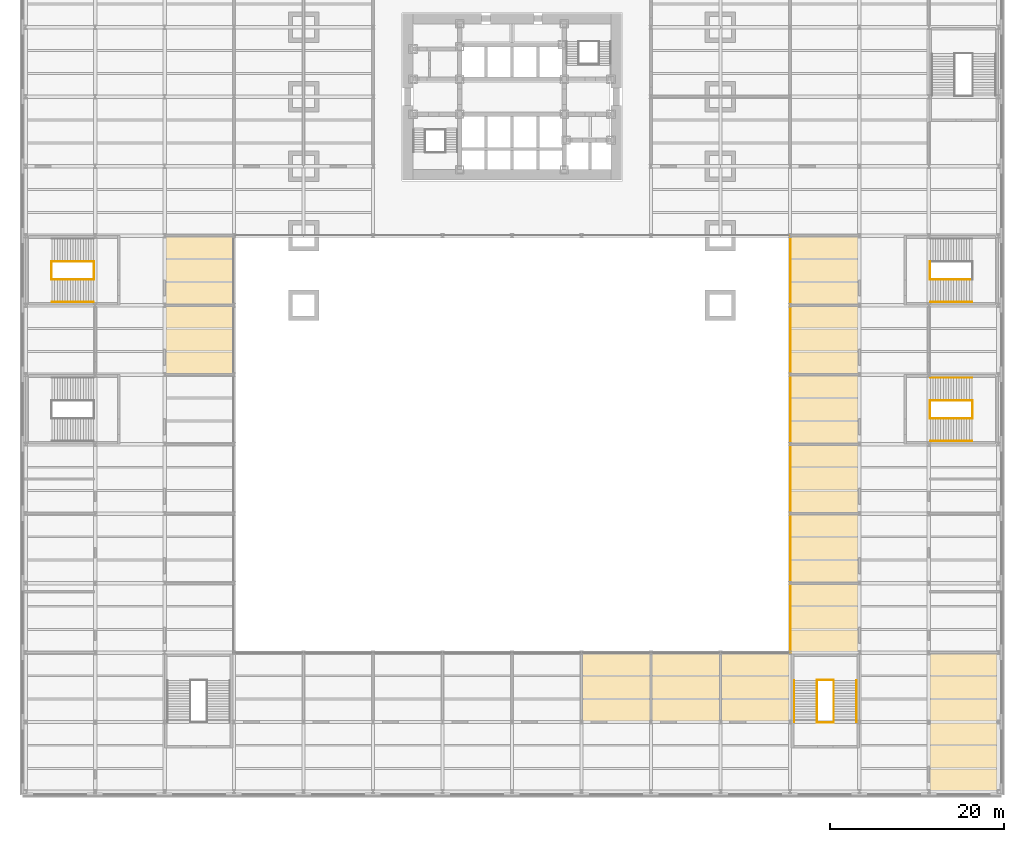
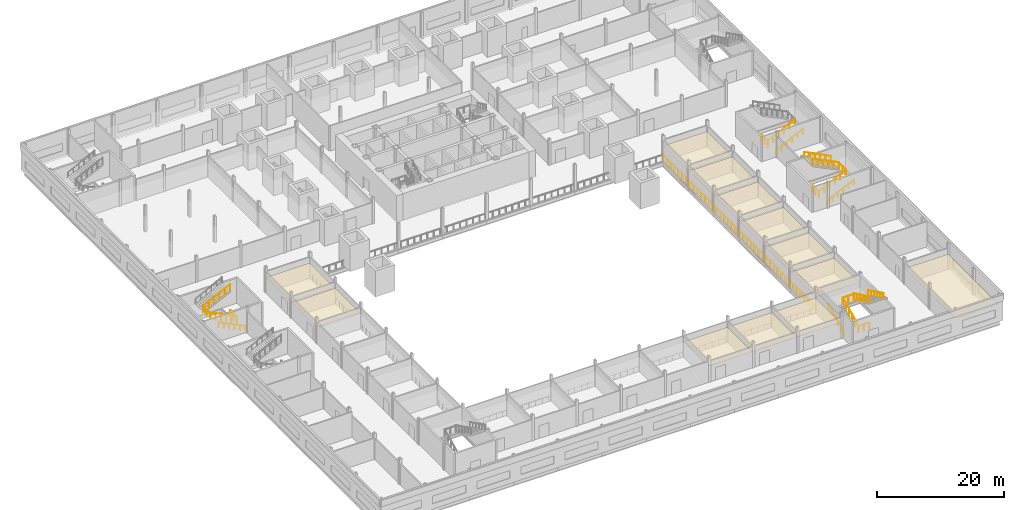
# One storey, part 19 of 22: 21 railings, 12 coverings.
"""IFC4 building model written with IfcOpenShell, lengths in metres."""

from ifc_helpers import new_model, si_unit, direction, frame, origin, origin_2d, place, context, subcontext, project, spatial, polyline, circle, outline, extrude, material, layer, layer_set, type_object, element, save


model = new_model("IFC4")

# Units and contexts
model_context = context("Model", 3, precision=1e-05, world=origin(), true_north=direction((0.0, 1.0)))
body_context = subcontext(model_context, "Body", "Model", "MODEL_VIEW")
ifc_project = project(units=[si_unit("LENGTHUNIT", "METRE"), si_unit("AREAUNIT", "SQUARE_METRE"), si_unit("VOLUMEUNIT", "CUBIC_METRE"), si_unit("PLANEANGLEUNIT", "RADIAN"), si_unit("MASSUNIT", "GRAM", prefix="KILO")], contexts=[model_context])

# Site, building, storey
site_placement = place(None, origin())
site = spatial("IfcSite", under=ifc_project, at=site_placement, CompositionType="ELEMENT")
building_placement = place(site_placement, origin())
building = spatial("IfcBuilding", under=site, at=building_placement, Name="Daluyong Arena Tower", CompositionType="ELEMENT")
storey_placement = place(building_placement, frame((0.0, 0.0, 9.89990234375)))
storey = spatial("IfcBuildingStorey", under=building, at=storey_placement, Name="L02", CompositionType="ELEMENT", Elevation=9.89990234375)

# Railing
ifc_material_1 = material(Name="Steel guard with glass infill", Category="steel")
railing_type_1 = type_object("IfcRailingType", Name="Floor edge guard 1100", PredefinedType="GUARDRAIL", material=ifc_material_1)
railing_1_placement = place(storey_placement, frame((88.050048828125, 16.0, 0.0)))
element("IfcRailing", 1, at=railing_1_placement, inside=storey, type_object=railing_type_1, Name="floor edge guard L02", PredefinedType="GUARDRAIL", context=body_context, shape_type="SweptSolid", body=[
    extrude(circle(Radius=0.02392578125, at=origin_2d()), frame((0.0, 0.0, 1.076171875), z_axis=(0.0, 1.0, 0.0), x_axis=(-1.0, 0.0, 0.0)), (0.0, 0.0, 1.0), 48.0),
    extrude(circle(Radius=0.02099609375, at=origin_2d()), origin(), (0.0, 0.0, 1.0), 1.052001953125),
    extrude(circle(Radius=0.02099609375, at=origin_2d()), frame((0.0, 1.199951171875, 0.0)), (0.0, 0.0, 1.0), 1.052001953125),
    extrude(circle(Radius=0.02099609375, at=origin_2d()), frame((0.0, 2.39990234375, 0.0)), (0.0, 0.0, 1.0), 1.052001953125),
    extrude(circle(Radius=0.02099609375, at=origin_2d()), frame((0.0, 3.60009765625, 0.0)), (0.0, 0.0, 1.0), 1.052001953125),
    extrude(circle(Radius=0.02099609375, at=origin_2d()), frame((0.0, 4.800048828125, 0.0)), (0.0, 0.0, 1.0), 1.052001953125),
    extrude(circle(Radius=0.02099609375, at=origin_2d()), frame((0.0, 6.0, 0.0)), (0.0, 0.0, 1.0), 1.052001953125),
    extrude(circle(Radius=0.02099609375, at=origin_2d()), frame((0.0, 7.199951171875, 0.0)), (0.0, 0.0, 1.0), 1.052001953125),
    extrude(circle(Radius=0.02099609375, at=origin_2d()), frame((0.0, 8.39990234375, 0.0)), (0.0, 0.0, 1.0), 1.052001953125),
    extrude(circle(Radius=0.02099609375, at=origin_2d()), frame((0.0, 9.60009765625, 0.0)), (0.0, 0.0, 1.0), 1.052001953125),
    extrude(circle(Radius=0.02099609375, at=origin_2d()), frame((0.0, 10.800048828125, 0.0)), (0.0, 0.0, 1.0), 1.052001953125),
    extrude(circle(Radius=0.02099609375, at=origin_2d()), frame((0.0, 12.0, 0.0)), (0.0, 0.0, 1.0), 1.052001953125),
    extrude(circle(Radius=0.02099609375, at=origin_2d()), frame((0.0, 13.199951171875, 0.0)), (0.0, 0.0, 1.0), 1.052001953125),
    extrude(circle(Radius=0.02099609375, at=origin_2d()), frame((0.0, 14.39990234375, 0.0)), (0.0, 0.0, 1.0), 1.052001953125),
    extrude(circle(Radius=0.02099609375, at=origin_2d()), frame((0.0, 15.60009765625, 0.0)), (0.0, 0.0, 1.0), 1.052001953125),
    extrude(circle(Radius=0.02099609375, at=origin_2d()), frame((0.0, 16.800048828125, 0.0)), (0.0, 0.0, 1.0), 1.052001953125),
    extrude(circle(Radius=0.02099609375, at=origin_2d()), frame((0.0, 18.0, 0.0)), (0.0, 0.0, 1.0), 1.052001953125),
    extrude(circle(Radius=0.02099609375, at=origin_2d()), frame((0.0, 19.199951171875, 0.0)), (0.0, 0.0, 1.0), 1.052001953125),
    extrude(circle(Radius=0.02099609375, at=origin_2d()), frame((0.0, 20.39990234375, 0.0)), (0.0, 0.0, 1.0), 1.052001953125),
    extrude(circle(Radius=0.02099609375, at=origin_2d()), frame((0.0, 21.60009765625, 0.0)), (0.0, 0.0, 1.0), 1.052001953125),
    extrude(circle(Radius=0.02099609375, at=origin_2d()), frame((0.0, 22.800048828125, 0.0)), (0.0, 0.0, 1.0), 1.052001953125),
    extrude(circle(Radius=0.02099609375, at=origin_2d()), frame((0.0, 24.0, 0.0)), (0.0, 0.0, 1.0), 1.052001953125),
    extrude(circle(Radius=0.02099609375, at=origin_2d()), frame((0.0, 25.199951171875, 0.0)), (0.0, 0.0, 1.0), 1.052001953125),
    extrude(circle(Radius=0.02099609375, at=origin_2d()), frame((0.0, 26.39990234375, 0.0)), (0.0, 0.0, 1.0), 1.052001953125),
    extrude(circle(Radius=0.02099609375, at=origin_2d()), frame((0.0, 27.60009765625, 0.0)), (0.0, 0.0, 1.0), 1.052001953125),
    extrude(circle(Radius=0.02099609375, at=origin_2d()), frame((0.0, 28.800048828125, 0.0)), (0.0, 0.0, 1.0), 1.052001953125),
    extrude(circle(Radius=0.02099609375, at=origin_2d()), frame((0.0, 30.0, 0.0)), (0.0, 0.0, 1.0), 1.052001953125),
    extrude(circle(Radius=0.02099609375, at=origin_2d()), frame((0.0, 31.199951171875, 0.0)), (0.0, 0.0, 1.0), 1.052001953125),
    extrude(circle(Radius=0.02099609375, at=origin_2d()), frame((0.0, 32.39990234375, 0.0)), (0.0, 0.0, 1.0), 1.052001953125),
    extrude(circle(Radius=0.02099609375, at=origin_2d()), frame((0.0, 33.60009765625, 0.0)), (0.0, 0.0, 1.0), 1.052001953125),
    extrude(circle(Radius=0.02099609375, at=origin_2d()), frame((0.0, 34.800048828125, 0.0)), (0.0, 0.0, 1.0), 1.052001953125),
    extrude(circle(Radius=0.02099609375, at=origin_2d()), frame((0.0, 36.0, 0.0)), (0.0, 0.0, 1.0), 1.052001953125),
    extrude(circle(Radius=0.02099609375, at=origin_2d()), frame((0.0, 37.199951171875, 0.0)), (0.0, 0.0, 1.0), 1.052001953125),
    extrude(circle(Radius=0.02099609375, at=origin_2d()), frame((0.0, 38.39990234375, 0.0)), (0.0, 0.0, 1.0), 1.052001953125),
    extrude(circle(Radius=0.02099609375, at=origin_2d()), frame((0.0, 39.60009765625, 0.0)), (0.0, 0.0, 1.0), 1.052001953125),
    extrude(circle(Radius=0.02099609375, at=origin_2d()), frame((0.0, 40.800048828125, 0.0)), (0.0, 0.0, 1.0), 1.052001953125),
    extrude(circle(Radius=0.02099609375, at=origin_2d()), frame((0.0, 42.0, 0.0)), (0.0, 0.0, 1.0), 1.052001953125),
    extrude(circle(Radius=0.02099609375, at=origin_2d()), frame((0.0, 43.199951171875, 0.0)), (0.0, 0.0, 1.0), 1.052001953125),
    extrude(circle(Radius=0.02099609375, at=origin_2d()), frame((0.0, 44.39990234375, 0.0)), (0.0, 0.0, 1.0), 1.052001953125),
    extrude(circle(Radius=0.02099609375, at=origin_2d()), frame((0.0, 45.60009765625, 0.0)), (0.0, 0.0, 1.0), 1.052001953125),
    extrude(circle(Radius=0.02099609375, at=origin_2d()), frame((0.0, 46.800048828125, 0.0)), (0.0, 0.0, 1.0), 1.052001953125),
    extrude(circle(Radius=0.02099609375, at=origin_2d()), frame((0.0, 48.0, 0.0)), (0.0, 0.0, 1.0), 1.052001953125),
])

# Coverings
ifc_material_2 = material(Name="Mineral fibre ceiling tile", Category="gypsum board")
ifc_layer = layer(ifc_material_2, 0.02001953125)
ifc_layer_set = layer_set([ifc_layer], Name="Mineral fibre ceiling tile")
covering_type = type_object("IfcCoveringType", Name="Office ceiling", PredefinedType="CEILING", material=ifc_layer_set)
covering_1_placement = place(storey_placement, frame((0.0, 0.0, 2.900146484375)))
element("IfcCovering", 2, at=covering_1_placement, inside=storey, type_object=covering_type, Name="ceiling L02-16", PredefinedType="CEILING", context=body_context, shape_type="SweptSolid", body=[
    extrude(outline(polyline([(111.89990234375, 0.10009765625), (111.89990234375, 15.89990234375), (104.10009765625, 15.89990234375), (104.10009765625, 0.10009765625), (111.89990234375, 0.10009765625)])), origin(), (0.0, 0.0, 1.0), 0.02001953125),
])
covering_2_placement = place(storey_placement, frame((0.0, 0.0, 2.900146484375)))
element("IfcCovering", 3, at=covering_2_placement, inside=storey, type_object=covering_type, Name="ceiling L02-23", PredefinedType="CEILING", context=body_context, shape_type="SweptSolid", body=[
    extrude(outline(polyline([(23.89990234375, 48.10009765625), (23.89990234375, 55.89990234375), (16.10009765625, 55.89990234375), (16.10009765625, 48.10009765625), (23.89990234375, 48.10009765625)])), origin(), (0.0, 0.0, 1.0), 0.02001953125),
])
covering_3_placement = place(storey_placement, frame((0.0, 0.0, 2.900146484375)))
element("IfcCovering", 4, at=covering_3_placement, inside=storey, type_object=covering_type, Name="ceiling L02-24", PredefinedType="CEILING", context=body_context, shape_type="SweptSolid", body=[
    extrude(outline(polyline([(23.89990234375, 56.10009765625), (23.89990234375, 63.89990234375), (16.10009765625, 63.89990234375), (16.10009765625, 56.10009765625), (23.89990234375, 56.10009765625)])), origin(), (0.0, 0.0, 1.0), 0.02001953125),
])
covering_4_placement = place(storey_placement, frame((0.0, 0.0, 2.900146484375)))
element("IfcCovering", 5, at=covering_4_placement, inside=storey, type_object=covering_type, Name="ceiling L02-25", PredefinedType="CEILING", context=body_context, shape_type="SweptSolid", body=[
    extrude(outline(polyline([(95.89990234375, 16.10009765625), (95.89990234375, 23.89990234375), (88.10009765625, 23.89990234375), (88.10009765625, 16.10009765625), (95.89990234375, 16.10009765625)])), origin(), (0.0, 0.0, 1.0), 0.02001953125),
])
covering_5_placement = place(storey_placement, frame((0.0, 0.0, 2.900146484375)))
element("IfcCovering", 6, at=covering_5_placement, inside=storey, type_object=covering_type, Name="ceiling L02-26", PredefinedType="CEILING", context=body_context, shape_type="SweptSolid", body=[
    extrude(outline(polyline([(95.89990234375, 24.10009765625), (95.89990234375, 31.89990234375), (88.10009765625, 31.89990234375), (88.10009765625, 24.10009765625), (95.89990234375, 24.10009765625)])), origin(), (0.0, 0.0, 1.0), 0.02001953125),
])
covering_6_placement = place(storey_placement, frame((0.0, 0.0, 2.900146484375)))
element("IfcCovering", 7, at=covering_6_placement, inside=storey, type_object=covering_type, Name="ceiling L02-27", PredefinedType="CEILING", context=body_context, shape_type="SweptSolid", body=[
    extrude(outline(polyline([(95.89990234375, 32.10009765625), (95.89990234375, 39.89990234375), (88.10009765625, 39.89990234375), (88.10009765625, 32.10009765625), (95.89990234375, 32.10009765625)])), origin(), (0.0, 0.0, 1.0), 0.02001953125),
])
covering_7_placement = place(storey_placement, frame((0.0, 0.0, 2.900146484375)))
element("IfcCovering", 8, at=covering_7_placement, inside=storey, type_object=covering_type, Name="ceiling L02-28", PredefinedType="CEILING", context=body_context, shape_type="SweptSolid", body=[
    extrude(outline(polyline([(95.89990234375, 40.10009765625), (95.89990234375, 47.89990234375), (88.10009765625, 47.89990234375), (88.10009765625, 40.10009765625), (95.89990234375, 40.10009765625)])), origin(), (0.0, 0.0, 1.0), 0.02001953125),
])
covering_8_placement = place(storey_placement, frame((0.0, 0.0, 2.900146484375)))
element("IfcCovering", 9, at=covering_8_placement, inside=storey, type_object=covering_type, Name="ceiling L02-29", PredefinedType="CEILING", context=body_context, shape_type="SweptSolid", body=[
    extrude(outline(polyline([(95.89990234375, 48.10009765625), (95.89990234375, 55.89990234375), (88.10009765625, 55.89990234375), (88.10009765625, 48.10009765625), (95.89990234375, 48.10009765625)])), origin(), (0.0, 0.0, 1.0), 0.02001953125),
])
covering_9_placement = place(storey_placement, frame((0.0, 0.0, 2.900146484375)))
element("IfcCovering", 10, at=covering_9_placement, inside=storey, type_object=covering_type, Name="ceiling L02-30", PredefinedType="CEILING", context=body_context, shape_type="SweptSolid", body=[
    extrude(outline(polyline([(95.89990234375, 56.10009765625), (95.89990234375, 63.89990234375), (88.10009765625, 63.89990234375), (88.10009765625, 56.10009765625), (95.89990234375, 56.10009765625)])), origin(), (0.0, 0.0, 1.0), 0.02001953125),
])
covering_10_placement = place(storey_placement, frame((0.0, 0.0, 2.900146484375)))
element("IfcCovering", 11, at=covering_10_placement, inside=storey, type_object=covering_type, Name="ceiling L02-36", PredefinedType="CEILING", context=body_context, shape_type="SweptSolid", body=[
    extrude(outline(polyline([(71.89990234375, 8.10009765625), (71.89990234375, 15.89990234375), (64.10009765625, 15.89990234375), (64.10009765625, 8.10009765625), (71.89990234375, 8.10009765625)])), origin(), (0.0, 0.0, 1.0), 0.02001953125),
])
covering_11_placement = place(storey_placement, frame((0.0, 0.0, 2.900146484375)))
element("IfcCovering", 12, at=covering_11_placement, inside=storey, type_object=covering_type, Name="ceiling L02-37", PredefinedType="CEILING", context=body_context, shape_type="SweptSolid", body=[
    extrude(outline(polyline([(79.89990234375, 8.10009765625), (79.89990234375, 15.89990234375), (72.10009765625, 15.89990234375), (72.10009765625, 8.10009765625), (79.89990234375, 8.10009765625)])), origin(), (0.0, 0.0, 1.0), 0.02001953125),
])
covering_12_placement = place(storey_placement, frame((0.0, 0.0, 2.900146484375)))
element("IfcCovering", 13, at=covering_12_placement, inside=storey, type_object=covering_type, Name="ceiling L02-38", PredefinedType="CEILING", context=body_context, shape_type="SweptSolid", body=[
    extrude(outline(polyline([(87.89990234375, 8.10009765625), (87.89990234375, 15.89990234375), (80.10009765625, 15.89990234375), (80.10009765625, 8.10009765625), (87.89990234375, 8.10009765625)])), origin(), (0.0, 0.0, 1.0), 0.02001953125),
])

# Railings
ifc_material_3 = material(Name="Stainless steel handrail", Category="steel")
railing_type_2 = type_object("IfcRailingType", Name="Stair handrail", PredefinedType="HANDRAIL", material=ifc_material_3)
railing_2_placement = place(storey_placement, frame((88.5, 8.010009765625, 0.147216796875)))
element("IfcRailing", 14, at=railing_2_placement, inside=storey, type_object=railing_type_2, Name="exit stair PS2 handrail L02", PredefinedType="HANDRAIL", context=body_context, shape_type="SweptSolid", body=[
    extrude(circle(Radius=0.02392578125, at=origin_2d()), frame((0.0, 0.0, 0.8759765625), z_axis=(0.0, 0.89793417156, 0.440129780343), x_axis=(-1.0, 0.0, 0.0)), (0.0, 0.0, 1.0), 5.345703125),
    extrude(circle(Radius=0.02099609375, at=origin_2d()), origin(), (0.0, 0.0, 1.0), 0.851806640625),
    extrude(circle(Radius=0.02099609375, at=origin_2d()), frame((0.0, 0.9599609375, 0.470458984375)), (0.0, 0.0, 1.0), 0.851806640625),
    extrude(circle(Radius=0.02099609375, at=origin_2d()), frame((0.0, 1.919921875, 0.941162109375)), (0.0, 0.0, 1.0), 0.851806640625),
    extrude(circle(Radius=0.02099609375, at=origin_2d()), frame((0.0, 2.880126953125, 1.41162109375)), (0.0, 0.0, 1.0), 0.851806640625),
    extrude(circle(Radius=0.02099609375, at=origin_2d()), frame((0.0, 3.840087890625, 1.88232421875)), (0.0, 0.0, 1.0), 0.851806640625),
    extrude(circle(Radius=0.02099609375, at=origin_2d()), frame((0.0, 4.800048828125, 2.352783203125)), (0.0, 0.0, 1.0), 0.851806640625),
])
railing_3_placement = place(storey_placement, frame((95.64990234375, 12.81005859375, 2.647216796875)))
element("IfcRailing", 15, at=railing_3_placement, inside=storey, type_object=railing_type_2, Name="exit stair PS2 handrail L02", PredefinedType="HANDRAIL", context=body_context, shape_type="SweptSolid", body=[
    extrude(circle(Radius=0.02392578125, at=origin_2d()), frame((0.0, 0.0, 0.8759765625), z_axis=(0.0, -0.89793417156, 0.440129780343), x_axis=(1.0, 0.0, 0.0)), (0.0, 0.0, 1.0), 5.345703125),
    extrude(circle(Radius=0.02099609375, at=origin_2d()), origin(), (0.0, 0.0, 1.0), 0.851806640625),
    extrude(circle(Radius=0.02099609375, at=origin_2d()), frame((0.0, -0.9599609375, 0.470458984375)), (0.0, 0.0, 1.0), 0.851806640625),
    extrude(circle(Radius=0.02099609375, at=origin_2d()), frame((0.0, -1.919921875, 0.941162109375)), (0.0, 0.0, 1.0), 0.851806640625),
    extrude(circle(Radius=0.02099609375, at=origin_2d()), frame((0.0, -2.880126953125, 1.41162109375)), (0.0, 0.0, 1.0), 0.851806640625),
    extrude(circle(Radius=0.02099609375, at=origin_2d()), frame((0.0, -3.840087890625, 1.88232421875)), (0.0, 0.0, 1.0), 0.851806640625),
    extrude(circle(Radius=0.02099609375, at=origin_2d()), frame((0.0, -4.800048828125, 2.352783203125)), (0.0, 0.0, 1.0), 0.851806640625),
])
railing_4_placement = place(storey_placement, frame((104.159912109375, 40.35009765625, 0.147216796875)))
element("IfcRailing", 16, at=railing_4_placement, inside=storey, type_object=railing_type_2, Name="exit stair PS4 handrail L02", PredefinedType="HANDRAIL", context=body_context, shape_type="SweptSolid", body=[
    extrude(circle(Radius=0.02392578125, at=origin_2d()), frame((0.0, 0.0, 0.8759765625), z_axis=(0.89793417156, 0.0, 0.440129780343), x_axis=(0.0, 1.0, 0.0)), (0.0, 0.0, 1.0), 5.345703125),
    extrude(circle(Radius=0.02099609375, at=origin_2d()), origin(), (0.0, 0.0, 1.0), 0.851806640625),
    extrude(circle(Radius=0.02099609375, at=origin_2d()), frame((0.9599609375, 0.0, 0.470458984375)), (0.0, 0.0, 1.0), 0.851806640625),
    extrude(circle(Radius=0.02099609375, at=origin_2d()), frame((1.919921875, 0.0, 0.941162109375)), (0.0, 0.0, 1.0), 0.851806640625),
    extrude(circle(Radius=0.02099609375, at=origin_2d()), frame((2.880126953125, 0.0, 1.41162109375)), (0.0, 0.0, 1.0), 0.851806640625),
    extrude(circle(Radius=0.02099609375, at=origin_2d()), frame((3.840087890625, 0.0, 1.88232421875)), (0.0, 0.0, 1.0), 0.851806640625),
    extrude(circle(Radius=0.02099609375, at=origin_2d()), frame((4.800048828125, 0.0, 2.352783203125)), (0.0, 0.0, 1.0), 0.851806640625),
])
for number, where, name in (
    (17, (108.9599609375, 47.64990234375, 2.647216796875), "exit stair PS4 handrail L02"),
    (18, (7.840087890625, 56.35009765625, 0.147216796875), "exit stair PS7 handrail L02"),
):
    element("IfcRailing", number, at=place(storey_placement, frame(where)), inside=storey, type_object=railing_type_2, Name=name, PredefinedType="HANDRAIL", context=body_context, shape_type="SweptSolid", body=[
        extrude(circle(Radius=0.02392578125, at=origin_2d()), frame((0.0, 0.0, 0.8759765625), z_axis=(-0.89793417156, 0.0, 0.440129780343), x_axis=(0.0, -1.0, 0.0)), (0.0, 0.0, 1.0), 5.345703125),
        extrude(circle(Radius=0.02099609375, at=origin_2d()), origin(), (0.0, 0.0, 1.0), 0.851806640625),
        extrude(circle(Radius=0.02099609375, at=origin_2d()), frame((-0.9599609375, 0.0, 0.470458984375)), (0.0, 0.0, 1.0), 0.851806640625),
        extrude(circle(Radius=0.02099609375, at=origin_2d()), frame((-1.919921875, 0.0, 0.941162109375)), (0.0, 0.0, 1.0), 0.851806640625),
        extrude(circle(Radius=0.02099609375, at=origin_2d()), frame((-2.880126953125, 0.0, 1.41162109375)), (0.0, 0.0, 1.0), 0.851806640625),
        extrude(circle(Radius=0.02099609375, at=origin_2d()), frame((-3.840087890625, 0.0, 1.88232421875)), (0.0, 0.0, 1.0), 0.851806640625),
        extrude(circle(Radius=0.02099609375, at=origin_2d()), frame((-4.800048828125, 0.0, 2.352783203125)), (0.0, 0.0, 1.0), 0.851806640625),
    ])
railing_5_placement = place(storey_placement, frame((104.159912109375, 56.35009765625, 0.147216796875)))
element("IfcRailing", 19, at=railing_5_placement, inside=storey, type_object=railing_type_2, Name="exit stair PS8 handrail L02", PredefinedType="HANDRAIL", context=body_context, shape_type="SweptSolid", body=[
    extrude(circle(Radius=0.02392578125, at=origin_2d()), frame((0.0, 0.0, 0.8759765625), z_axis=(0.89793417156, 0.0, 0.440129780343), x_axis=(0.0, 1.0, 0.0)), (0.0, 0.0, 1.0), 5.345703125),
    extrude(circle(Radius=0.02099609375, at=origin_2d()), origin(), (0.0, 0.0, 1.0), 0.851806640625),
    extrude(circle(Radius=0.02099609375, at=origin_2d()), frame((0.9599609375, 0.0, 0.470458984375)), (0.0, 0.0, 1.0), 0.851806640625),
    extrude(circle(Radius=0.02099609375, at=origin_2d()), frame((1.919921875, 0.0, 0.941162109375)), (0.0, 0.0, 1.0), 0.851806640625),
    extrude(circle(Radius=0.02099609375, at=origin_2d()), frame((2.880126953125, 0.0, 1.41162109375)), (0.0, 0.0, 1.0), 0.851806640625),
    extrude(circle(Radius=0.02099609375, at=origin_2d()), frame((3.840087890625, 0.0, 1.88232421875)), (0.0, 0.0, 1.0), 0.851806640625),
    extrude(circle(Radius=0.02099609375, at=origin_2d()), frame((4.800048828125, 0.0, 2.352783203125)), (0.0, 0.0, 1.0), 0.851806640625),
])
ifc_material_4 = material(Name="Steel balustrade", Category="steel")
railing_type_3 = type_object("IfcRailingType", Name="Stair well guard 1200", PredefinedType="GUARDRAIL", material=ifc_material_4)
railing_6_placement = place(storey_placement, frame((91.10009765625, 8.010009765625, 0.147216796875)))
element("IfcRailing", 20, at=railing_6_placement, inside=storey, type_object=railing_type_3, Name="exit stair PS2 well guard L02", PredefinedType="GUARDRAIL", context=body_context, shape_type="SweptSolid", body=[
    extrude(circle(Radius=0.02392578125, at=origin_2d()), frame((0.0, 0.0, 1.17578125), z_axis=(0.0, 0.89793417156, 0.440129780343), x_axis=(-1.0, 0.0, 0.0)), (0.0, 0.0, 1.0), 5.345703125),
    extrude(circle(Radius=0.02099609375, at=origin_2d()), origin(), (0.0, 0.0, 1.0), 1.15185546875),
    extrude(circle(Radius=0.02099609375, at=origin_2d()), frame((0.0, 0.9599609375, 0.470458984375)), (0.0, 0.0, 1.0), 1.15185546875),
    extrude(circle(Radius=0.02099609375, at=origin_2d()), frame((0.0, 1.919921875, 0.941162109375)), (0.0, 0.0, 1.0), 1.15185546875),
    extrude(circle(Radius=0.02099609375, at=origin_2d()), frame((0.0, 2.880126953125, 1.41162109375)), (0.0, 0.0, 1.0), 1.15185546875),
    extrude(circle(Radius=0.02099609375, at=origin_2d()), frame((0.0, 3.840087890625, 1.88232421875)), (0.0, 0.0, 1.0), 1.15185546875),
    extrude(circle(Radius=0.02099609375, at=origin_2d()), frame((0.0, 4.800048828125, 2.352783203125)), (0.0, 0.0, 1.0), 1.15185546875),
])
railing_7_placement = place(storey_placement, frame((93.050048828125, 12.81005859375, 2.647216796875)))
element("IfcRailing", 21, at=railing_7_placement, inside=storey, type_object=railing_type_3, Name="exit stair PS2 well guard L02", PredefinedType="GUARDRAIL", context=body_context, shape_type="SweptSolid", body=[
    extrude(circle(Radius=0.02392578125, at=origin_2d()), frame((0.0, 0.0, 1.17578125), z_axis=(0.0, -0.89793417156, 0.440129780343), x_axis=(1.0, 0.0, 0.0)), (0.0, 0.0, 1.0), 5.345703125),
    extrude(circle(Radius=0.02099609375, at=origin_2d()), origin(), (0.0, 0.0, 1.0), 1.15185546875),
    extrude(circle(Radius=0.02099609375, at=origin_2d()), frame((0.0, -0.9599609375, 0.470458984375)), (0.0, 0.0, 1.0), 1.15185546875),
    extrude(circle(Radius=0.02099609375, at=origin_2d()), frame((0.0, -1.919921875, 0.941162109375)), (0.0, 0.0, 1.0), 1.15185546875),
    extrude(circle(Radius=0.02099609375, at=origin_2d()), frame((0.0, -2.880126953125, 1.41162109375)), (0.0, 0.0, 1.0), 1.15185546875),
    extrude(circle(Radius=0.02099609375, at=origin_2d()), frame((0.0, -3.840087890625, 1.88232421875)), (0.0, 0.0, 1.0), 1.15185546875),
    extrude(circle(Radius=0.02099609375, at=origin_2d()), frame((0.0, -4.800048828125, 2.352783203125)), (0.0, 0.0, 1.0), 1.15185546875),
])
for number, where, name in (
    (22, (91.10009765625, 12.860107421875, 2.5), "exit stair PS2 landing guard L02"),
    (23, (91.10009765625, 7.9599609375, 0.0), "exit stair PS2 floor landing guard L02"),
):
    element("IfcRailing", number, at=place(storey_placement, frame(where)), inside=storey, type_object=railing_type_3, Name=name, PredefinedType="GUARDRAIL", context=body_context, shape_type="SweptSolid", body=[
        extrude(circle(Radius=0.02392578125, at=origin_2d()), frame((0.0, 0.0, 1.17578125), z_axis=(1.0, 0.0, 0.0), x_axis=(0.0, 1.0, 0.0)), (0.0, 0.0, 1.0), 1.949951171875),
        extrude(circle(Radius=0.02099609375, at=origin_2d()), origin(), (0.0, 0.0, 1.0), 1.15185546875),
        extrude(circle(Radius=0.02099609375, at=origin_2d()), frame((0.97509765625, 0.0, 0.0)), (0.0, 0.0, 1.0), 1.15185546875),
        extrude(circle(Radius=0.02099609375, at=origin_2d()), frame((1.949951171875, 0.0, 0.0)), (0.0, 0.0, 1.0), 1.15185546875),
    ])
railing_8_placement = place(storey_placement, frame((104.159912109375, 42.949951171875, 0.147216796875)))
element("IfcRailing", 24, at=railing_8_placement, inside=storey, type_object=railing_type_3, Name="exit stair PS4 well guard L02", PredefinedType="GUARDRAIL", context=body_context, shape_type="SweptSolid", body=[
    extrude(circle(Radius=0.02392578125, at=origin_2d()), frame((0.0, 0.0, 1.17578125), z_axis=(0.89793417156, 0.0, 0.440129780343), x_axis=(0.0, 1.0, 0.0)), (0.0, 0.0, 1.0), 5.345703125),
    extrude(circle(Radius=0.02099609375, at=origin_2d()), origin(), (0.0, 0.0, 1.0), 1.15185546875),
    extrude(circle(Radius=0.02099609375, at=origin_2d()), frame((0.9599609375, 0.0, 0.470458984375)), (0.0, 0.0, 1.0), 1.15185546875),
    extrude(circle(Radius=0.02099609375, at=origin_2d()), frame((1.919921875, 0.0, 0.941162109375)), (0.0, 0.0, 1.0), 1.15185546875),
    extrude(circle(Radius=0.02099609375, at=origin_2d()), frame((2.880126953125, 0.0, 1.41162109375)), (0.0, 0.0, 1.0), 1.15185546875),
    extrude(circle(Radius=0.02099609375, at=origin_2d()), frame((3.840087890625, 0.0, 1.88232421875)), (0.0, 0.0, 1.0), 1.15185546875),
    extrude(circle(Radius=0.02099609375, at=origin_2d()), frame((4.800048828125, 0.0, 2.352783203125)), (0.0, 0.0, 1.0), 1.15185546875),
])
railing_9_placement = place(storey_placement, frame((108.9599609375, 45.050048828125, 2.647216796875)))
element("IfcRailing", 25, at=railing_9_placement, inside=storey, type_object=railing_type_3, Name="exit stair PS4 well guard L02", PredefinedType="GUARDRAIL", context=body_context, shape_type="SweptSolid", body=[
    extrude(circle(Radius=0.02392578125, at=origin_2d()), frame((0.0, 0.0, 1.17578125), z_axis=(-0.89793417156, 0.0, 0.440129780343), x_axis=(0.0, -1.0, 0.0)), (0.0, 0.0, 1.0), 5.345703125),
    extrude(circle(Radius=0.02099609375, at=origin_2d()), origin(), (0.0, 0.0, 1.0), 1.15185546875),
    extrude(circle(Radius=0.02099609375, at=origin_2d()), frame((-0.9599609375, 0.0, 0.470458984375)), (0.0, 0.0, 1.0), 1.15185546875),
    extrude(circle(Radius=0.02099609375, at=origin_2d()), frame((-1.919921875, 0.0, 0.941162109375)), (0.0, 0.0, 1.0), 1.15185546875),
    extrude(circle(Radius=0.02099609375, at=origin_2d()), frame((-2.880126953125, 0.0, 1.41162109375)), (0.0, 0.0, 1.0), 1.15185546875),
    extrude(circle(Radius=0.02099609375, at=origin_2d()), frame((-3.840087890625, 0.0, 1.88232421875)), (0.0, 0.0, 1.0), 1.15185546875),
    extrude(circle(Radius=0.02099609375, at=origin_2d()), frame((-4.800048828125, 0.0, 2.352783203125)), (0.0, 0.0, 1.0), 1.15185546875),
])
for number, where, name in (
    (26, (109.010009765625, 42.949951171875, 2.5), "exit stair PS4 landing guard L02"),
    (27, (104.110107421875, 42.949951171875, 0.0), "exit stair PS4 floor landing guard L02"),
):
    element("IfcRailing", number, at=place(storey_placement, frame(where)), inside=storey, type_object=railing_type_3, Name=name, PredefinedType="GUARDRAIL", context=body_context, shape_type="SweptSolid", body=[
        extrude(circle(Radius=0.02392578125, at=origin_2d()), frame((0.0, 0.0, 1.17578125), z_axis=(0.0, 1.0, 0.0), x_axis=(-1.0, 0.0, 0.0)), (0.0, 0.0, 1.0), 2.10009765625),
        extrude(circle(Radius=0.02099609375, at=origin_2d()), origin(), (0.0, 0.0, 1.0), 1.15185546875),
        extrude(circle(Radius=0.02099609375, at=origin_2d()), frame((0.0, 1.050048828125, 0.0)), (0.0, 0.0, 1.0), 1.15185546875),
        extrude(circle(Radius=0.02099609375, at=origin_2d()), frame((0.0, 2.10009765625, 0.0)), (0.0, 0.0, 1.0), 1.15185546875),
    ])
railing_10_placement = place(storey_placement, frame((7.840087890625, 58.949951171875, 0.147216796875)))
element("IfcRailing", 28, at=railing_10_placement, inside=storey, type_object=railing_type_3, Name="exit stair PS7 well guard L02", PredefinedType="GUARDRAIL", context=body_context, shape_type="SweptSolid", body=[
    extrude(circle(Radius=0.02392578125, at=origin_2d()), frame((0.0, 0.0, 1.17578125), z_axis=(-0.89793417156, 0.0, 0.440129780343), x_axis=(0.0, -1.0, 0.0)), (0.0, 0.0, 1.0), 5.345703125),
    extrude(circle(Radius=0.02099609375, at=origin_2d()), origin(), (0.0, 0.0, 1.0), 1.15185546875),
    extrude(circle(Radius=0.02099609375, at=origin_2d()), frame((-0.9599609375, 0.0, 0.470458984375)), (0.0, 0.0, 1.0), 1.15185546875),
    extrude(circle(Radius=0.02099609375, at=origin_2d()), frame((-1.919921875, 0.0, 0.941162109375)), (0.0, 0.0, 1.0), 1.15185546875),
    extrude(circle(Radius=0.02099609375, at=origin_2d()), frame((-2.880126953125, 0.0, 1.41162109375)), (0.0, 0.0, 1.0), 1.15185546875),
    extrude(circle(Radius=0.02099609375, at=origin_2d()), frame((-3.840087890625, 0.0, 1.88232421875)), (0.0, 0.0, 1.0), 1.15185546875),
    extrude(circle(Radius=0.02099609375, at=origin_2d()), frame((-4.800048828125, 0.0, 2.352783203125)), (0.0, 0.0, 1.0), 1.15185546875),
])
railing_11_placement = place(storey_placement, frame((3.0400390625, 61.050048828125, 2.647216796875)))
element("IfcRailing", 29, at=railing_11_placement, inside=storey, type_object=railing_type_3, Name="exit stair PS7 well guard L02", PredefinedType="GUARDRAIL", context=body_context, shape_type="SweptSolid", body=[
    extrude(circle(Radius=0.02392578125, at=origin_2d()), frame((0.0, 0.0, 1.17578125), z_axis=(0.89793417156, 0.0, 0.440129780343), x_axis=(0.0, 1.0, 0.0)), (0.0, 0.0, 1.0), 5.345703125),
    extrude(circle(Radius=0.02099609375, at=origin_2d()), origin(), (0.0, 0.0, 1.0), 1.15185546875),
    extrude(circle(Radius=0.02099609375, at=origin_2d()), frame((0.9599609375, 0.0, 0.470458984375)), (0.0, 0.0, 1.0), 1.15185546875),
    extrude(circle(Radius=0.02099609375, at=origin_2d()), frame((1.919921875, 0.0, 0.941162109375)), (0.0, 0.0, 1.0), 1.15185546875),
    extrude(circle(Radius=0.02099609375, at=origin_2d()), frame((2.880126953125, 0.0, 1.41162109375)), (0.0, 0.0, 1.0), 1.15185546875),
    extrude(circle(Radius=0.02099609375, at=origin_2d()), frame((3.840087890625, 0.0, 1.88232421875)), (0.0, 0.0, 1.0), 1.15185546875),
    extrude(circle(Radius=0.02099609375, at=origin_2d()), frame((4.800048828125, 0.0, 2.352783203125)), (0.0, 0.0, 1.0), 1.15185546875),
])
for number, where, name in (
    (30, (2.989990234375, 58.949951171875, 2.5), "exit stair PS7 landing guard L02"),
    (31, (7.889892578125, 58.949951171875, 0.0), "exit stair PS7 floor landing guard L02"),
):
    element("IfcRailing", number, at=place(storey_placement, frame(where)), inside=storey, type_object=railing_type_3, Name=name, PredefinedType="GUARDRAIL", context=body_context, shape_type="SweptSolid", body=[
        extrude(circle(Radius=0.02392578125, at=origin_2d()), frame((0.0, 0.0, 1.17578125), z_axis=(0.0, 1.0, 0.0), x_axis=(-1.0, 0.0, 0.0)), (0.0, 0.0, 1.0), 2.10009765625),
        extrude(circle(Radius=0.02099609375, at=origin_2d()), origin(), (0.0, 0.0, 1.0), 1.15185546875),
        extrude(circle(Radius=0.02099609375, at=origin_2d()), frame((0.0, 1.050048828125, 0.0)), (0.0, 0.0, 1.0), 1.15185546875),
        extrude(circle(Radius=0.02099609375, at=origin_2d()), frame((0.0, 2.10009765625, 0.0)), (0.0, 0.0, 1.0), 1.15185546875),
    ])
railing_12_placement = place(storey_placement, frame((104.159912109375, 58.949951171875, 0.147216796875)))
element("IfcRailing", 32, at=railing_12_placement, inside=storey, type_object=railing_type_3, Name="exit stair PS8 well guard L02", PredefinedType="GUARDRAIL", context=body_context, shape_type="SweptSolid", body=[
    extrude(circle(Radius=0.02392578125, at=origin_2d()), frame((0.0, 0.0, 1.17578125), z_axis=(0.89793417156, 0.0, 0.440129780343), x_axis=(0.0, 1.0, 0.0)), (0.0, 0.0, 1.0), 5.345703125),
    extrude(circle(Radius=0.02099609375, at=origin_2d()), origin(), (0.0, 0.0, 1.0), 1.15185546875),
    extrude(circle(Radius=0.02099609375, at=origin_2d()), frame((0.9599609375, 0.0, 0.470458984375)), (0.0, 0.0, 1.0), 1.15185546875),
    extrude(circle(Radius=0.02099609375, at=origin_2d()), frame((1.919921875, 0.0, 0.941162109375)), (0.0, 0.0, 1.0), 1.15185546875),
    extrude(circle(Radius=0.02099609375, at=origin_2d()), frame((2.880126953125, 0.0, 1.41162109375)), (0.0, 0.0, 1.0), 1.15185546875),
    extrude(circle(Radius=0.02099609375, at=origin_2d()), frame((3.840087890625, 0.0, 1.88232421875)), (0.0, 0.0, 1.0), 1.15185546875),
    extrude(circle(Radius=0.02099609375, at=origin_2d()), frame((4.800048828125, 0.0, 2.352783203125)), (0.0, 0.0, 1.0), 1.15185546875),
])
railing_13_placement = place(storey_placement, frame((104.110107421875, 58.949951171875, 0.0)))
element("IfcRailing", 33, at=railing_13_placement, inside=storey, type_object=railing_type_3, Name="exit stair PS8 floor landing guard L02", PredefinedType="GUARDRAIL", context=body_context, shape_type="SweptSolid", body=[
    extrude(circle(Radius=0.02392578125, at=origin_2d()), frame((0.0, 0.0, 1.17578125), z_axis=(0.0, 1.0, 0.0), x_axis=(-1.0, 0.0, 0.0)), (0.0, 0.0, 1.0), 2.10009765625),
    extrude(circle(Radius=0.02099609375, at=origin_2d()), origin(), (0.0, 0.0, 1.0), 1.15185546875),
    extrude(circle(Radius=0.02099609375, at=origin_2d()), frame((0.0, 1.050048828125, 0.0)), (0.0, 0.0, 1.0), 1.15185546875),
    extrude(circle(Radius=0.02099609375, at=origin_2d()), frame((0.0, 2.10009765625, 0.0)), (0.0, 0.0, 1.0), 1.15185546875),
])

save(model, "model.ifc")
